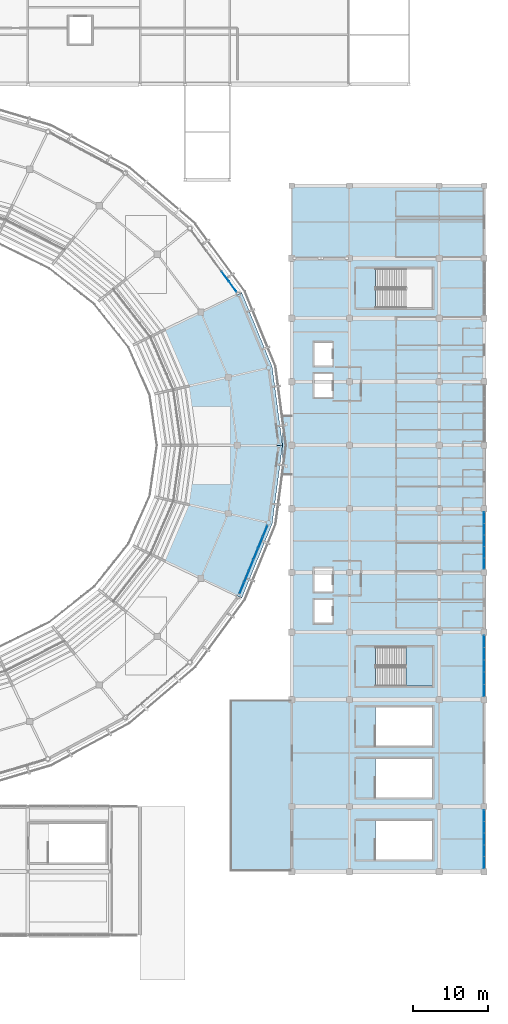
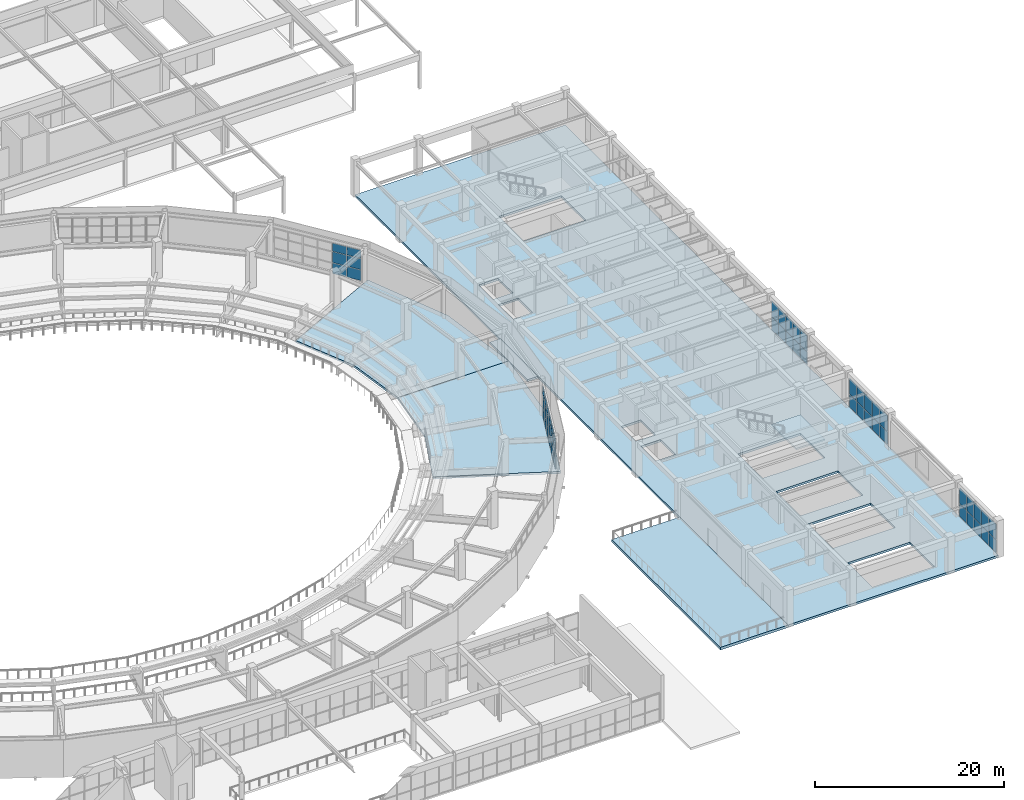
# One storey, part 87 of 122: 54 plates, 6 slabs, 6 elements without a shape of their own.
"""IFC4 building model written with IfcOpenShell, lengths in metres."""

from ifc_helpers import new_model, si_unit, direction, frame, origin, origin_2d, place, context, subcontext, project, spatial, polyline, rectangle, outline, extrude, material, layer, layer_set, type_object, element, aggregate, save


model = new_model("IFC4")

# Units and contexts
model_context = context("Model", 3, precision=1e-05, world=origin(), true_north=direction((0.0, 1.0)))
body_context = subcontext(model_context, "Body", "Model", "MODEL_VIEW")
ifc_project = project(units=[si_unit("LENGTHUNIT", "METRE"), si_unit("AREAUNIT", "SQUARE_METRE"), si_unit("VOLUMEUNIT", "CUBIC_METRE"), si_unit("PLANEANGLEUNIT", "RADIAN"), si_unit("MASSUNIT", "GRAM", prefix="KILO")], contexts=[model_context])

# Site, building, storey
site_placement = place(None, origin())
site = spatial("IfcSite", under=ifc_project, at=site_placement, CompositionType="ELEMENT")
building_placement = place(site_placement, origin())
building = spatial("IfcBuilding", under=site, at=building_placement, Name="Cuetzalor Civic Arena", CompositionType="ELEMENT")
storey_placement = place(building_placement, frame((0.0, 0.0, 16.199951171875)))
storey = spatial("IfcBuildingStorey", under=building, at=storey_placement, Name="L03", CompositionType="ELEMENT", Elevation=16.199951171875)

# Curtain wall, plates
ifc_material_1 = material(Name="Anodised dark bronze aluminium and low-E solar glass", Category="aluminium")
curtain_wall_type_1 = type_object("IfcCurtainWallType", Name="UnitisedCW_10150x4050", PredefinedType="USERDEFINED", material=ifc_material_1)
curtain_wall_1_placement = place(storey_placement, origin())
curtain_wall_1 = element("IfcCurtainWall", 1, at=curtain_wall_1_placement, inside=storey, type_object=curtain_wall_type_1, Name="Drum Triangle Foyer Curtain Wall L03-045", ObjectType="UNITISED CURTAIN WALL", PredefinedType="USERDEFINED")
ifc_material_2 = material(Name="Acoustic laminated solar control glass", Category="glass")
ifc_layer_1 = layer(ifc_material_2, 0.0439453125)
ifc_layer_set_1 = layer_set([ifc_layer_1], Name="Acoustic laminated solar control glass")
plate_type = type_object("IfcPlateType", Name="AcousticTripleGlazedPanel_44", PredefinedType="CURTAIN_PANEL", material=ifc_layer_set_1)
plate_1_placement = place(storey_placement, frame((47.402099609375, 22.568359375, 0.06494140625), z_axis=(0.0, 0.0, 1.0), x_axis=(0.59292931222, -0.805254513002, 0.0)))
plate_1 = element("IfcPlate", 2, at=plate_1_placement, type_object=plate_type, Name="CW-12 panel 5.1", PredefinedType="CURTAIN_PANEL", context=body_context, shape_type="SweptSolid", body=[
    extrude(rectangle(XDim=1.625732421875, YDim=0.0439453125, at=origin_2d()), origin(), (0.0, 0.0, 1.0), 1.361572265625),
])
plate_2_placement = place(storey_placement, frame((47.402099609375, 22.568359375, 1.491455078125), z_axis=(0.0, 0.0, 1.0), x_axis=(0.59292931222, -0.805254513002, 0.0)))
plate_2 = element("IfcPlate", 3, at=plate_2_placement, type_object=plate_type, Name="CW-12 panel 5.2", PredefinedType="CURTAIN_PANEL", context=body_context, shape_type="SweptSolid", body=[
    extrude(rectangle(XDim=1.625732421875, YDim=0.0439453125, at=origin_2d()), origin(), (0.0, 0.0, 1.0), 1.39404296875),
])
plate_3_placement = place(storey_placement, frame((47.402099609375, 22.568359375, 2.950439453125), z_axis=(0.0, 0.0, 1.0), x_axis=(0.59292931222, -0.805254513002, 0.0)))
plate_3 = element("IfcPlate", 4, at=plate_3_placement, type_object=plate_type, Name="CW-12 panel 5.3", PredefinedType="CURTAIN_PANEL", context=body_context, shape_type="SweptSolid", body=[
    extrude(rectangle(XDim=1.625732421875, YDim=0.0439453125, at=origin_2d()), origin(), (0.0, 0.0, 1.0), 1.03759765625),
])
plate_4_placement = place(storey_placement, frame((48.394775390625, 21.219970703125, 0.06494140625), z_axis=(0.0, 0.0, 1.0), x_axis=(0.59292931222, -0.805254513002, 0.0)))
plate_4 = element("IfcPlate", 5, at=plate_4_placement, type_object=plate_type, Name="CW-12 panel 6.1", PredefinedType="CURTAIN_PANEL", context=body_context, shape_type="SweptSolid", body=[
    extrude(rectangle(XDim=1.59326171875, YDim=0.0439453125, at=origin_2d()), origin(), (0.0, 0.0, 1.0), 1.361572265625),
])
plate_5_placement = place(storey_placement, frame((48.394775390625, 21.219970703125, 1.491455078125), z_axis=(0.0, 0.0, 1.0), x_axis=(0.59292931222, -0.805254513002, 0.0)))
plate_5 = element("IfcPlate", 6, at=plate_5_placement, type_object=plate_type, Name="CW-12 panel 6.2", PredefinedType="CURTAIN_PANEL", context=body_context, shape_type="SweptSolid", body=[
    extrude(rectangle(XDim=1.59326171875, YDim=0.0439453125, at=origin_2d()), origin(), (0.0, 0.0, 1.0), 1.39404296875),
])
plate_6_placement = place(storey_placement, frame((48.394775390625, 21.219970703125, 2.950439453125), z_axis=(0.0, 0.0, 1.0), x_axis=(0.59292931222, -0.805254513002, 0.0)))
plate_6 = element("IfcPlate", 7, at=plate_6_placement, type_object=plate_type, Name="CW-12 panel 6.3", PredefinedType="CURTAIN_PANEL", context=body_context, shape_type="SweptSolid", body=[
    extrude(rectangle(XDim=1.59326171875, YDim=0.0439453125, at=origin_2d()), origin(), (0.0, 0.0, 1.0), 1.03759765625),
])
aggregate(curtain_wall_1, [plate_1, plate_2, plate_3, plate_4, plate_5, plate_6])

ifc_material_3 = material(Name="Anodised dark bronze aluminium and low-E solar glass", Category="aluminium")
curtain_wall_type_2 = type_object("IfcCurtainWallType", Name="UnitisedCW_9850x4050", PredefinedType="USERDEFINED", material=ifc_material_3)
curtain_wall_2_placement = place(storey_placement, origin())
curtain_wall_2 = element("IfcCurtainWall", 8, at=curtain_wall_2_placement, inside=storey, type_object=curtain_wall_type_2, Name="Drum Triangle Foyer Curtain Wall L03-056", ObjectType="UNITISED CURTAIN WALL", PredefinedType="USERDEFINED")
plate_7_placement = place(storey_placement, frame((52.719970703125, -11.486083984375, 0.06494140625), z_axis=(0.0, 0.0, 1.0), x_axis=(-0.379391428583, -0.925236263836, 0.0)))
plate_7 = element("IfcPlate", 9, at=plate_7_placement, type_object=plate_type, Name="CW-17 panel 1.1", PredefinedType="CURTAIN_PANEL", context=body_context, shape_type="SweptSolid", body=[
    extrude(rectangle(XDim=1.548095703125, YDim=0.0439453125, at=origin_2d()), origin(), (0.0, 0.0, 1.0), 1.361572265625),
])
plate_8_placement = place(storey_placement, frame((52.719970703125, -11.486083984375, 1.491455078125), z_axis=(0.0, 0.0, 1.0), x_axis=(-0.379391428583, -0.925236263836, 0.0)))
plate_8 = element("IfcPlate", 10, at=plate_8_placement, type_object=plate_type, Name="CW-17 panel 1.2", PredefinedType="CURTAIN_PANEL", context=body_context, shape_type="SweptSolid", body=[
    extrude(rectangle(XDim=1.548095703125, YDim=0.0439453125, at=origin_2d()), origin(), (0.0, 0.0, 1.0), 1.39404296875),
])
plate_9_placement = place(storey_placement, frame((52.719970703125, -11.486083984375, 2.950439453125), z_axis=(0.0, 0.0, 1.0), x_axis=(-0.379391428583, -0.925236263836, 0.0)))
plate_9 = element("IfcPlate", 11, at=plate_9_placement, type_object=plate_type, Name="CW-17 panel 1.3", PredefinedType="CURTAIN_PANEL", context=body_context, shape_type="SweptSolid", body=[
    extrude(rectangle(XDim=1.548095703125, YDim=0.0439453125, at=origin_2d()), origin(), (0.0, 0.0, 1.0), 1.03759765625),
])
plate_10_placement = place(storey_placement, frame((52.1015625, -12.993896484375, 0.06494140625), z_axis=(0.0, 0.0, 1.0), x_axis=(-0.379391428583, -0.925236263836, 0.0)))
plate_10 = element("IfcPlate", 12, at=plate_10_placement, type_object=plate_type, Name="CW-17 panel 2.1", PredefinedType="CURTAIN_PANEL", context=body_context, shape_type="SweptSolid", body=[
    extrude(rectangle(XDim=1.580810546875, YDim=0.0439453125, at=origin_2d()), origin(), (0.0, 0.0, 1.0), 1.361572265625),
])
plate_11_placement = place(storey_placement, frame((52.1015625, -12.993896484375, 1.491455078125), z_axis=(0.0, 0.0, 1.0), x_axis=(-0.379391428583, -0.925236263836, 0.0)))
plate_11 = element("IfcPlate", 13, at=plate_11_placement, type_object=plate_type, Name="CW-17 panel 2.2", PredefinedType="CURTAIN_PANEL", context=body_context, shape_type="SweptSolid", body=[
    extrude(rectangle(XDim=1.580810546875, YDim=0.0439453125, at=origin_2d()), origin(), (0.0, 0.0, 1.0), 1.39404296875),
])
plate_12_placement = place(storey_placement, frame((52.1015625, -12.993896484375, 2.950439453125), z_axis=(0.0, 0.0, 1.0), x_axis=(-0.379391428583, -0.925236263836, 0.0)))
plate_12 = element("IfcPlate", 14, at=plate_12_placement, type_object=plate_type, Name="CW-17 panel 2.3", PredefinedType="CURTAIN_PANEL", context=body_context, shape_type="SweptSolid", body=[
    extrude(rectangle(XDim=1.580810546875, YDim=0.0439453125, at=origin_2d()), origin(), (0.0, 0.0, 1.0), 1.03759765625),
])
plate_13_placement = place(storey_placement, frame((51.477294921875, -14.516357421875, 0.06494140625), z_axis=(0.0, 0.0, 1.0), x_axis=(-0.379391428583, -0.925236263836, 0.0)))
plate_13 = element("IfcPlate", 15, at=plate_13_placement, type_object=plate_type, Name="CW-17 panel 3.1", PredefinedType="CURTAIN_PANEL", context=body_context, shape_type="SweptSolid", body=[
    extrude(rectangle(XDim=1.580810546875, YDim=0.0439453125, at=origin_2d()), origin(), (0.0, 0.0, 1.0), 1.361572265625),
])
plate_14_placement = place(storey_placement, frame((51.477294921875, -14.516357421875, 1.491455078125), z_axis=(0.0, 0.0, 1.0), x_axis=(-0.379391428583, -0.925236263836, 0.0)))
plate_14 = element("IfcPlate", 16, at=plate_14_placement, type_object=plate_type, Name="CW-17 panel 3.2", PredefinedType="CURTAIN_PANEL", context=body_context, shape_type="SweptSolid", body=[
    extrude(rectangle(XDim=1.580810546875, YDim=0.0439453125, at=origin_2d()), origin(), (0.0, 0.0, 1.0), 1.39404296875),
])
plate_15_placement = place(storey_placement, frame((51.477294921875, -14.516357421875, 2.950439453125), z_axis=(0.0, 0.0, 1.0), x_axis=(-0.379391428583, -0.925236263836, 0.0)))
plate_15 = element("IfcPlate", 17, at=plate_15_placement, type_object=plate_type, Name="CW-17 panel 3.3", PredefinedType="CURTAIN_PANEL", context=body_context, shape_type="SweptSolid", body=[
    extrude(rectangle(XDim=1.580810546875, YDim=0.0439453125, at=origin_2d()), origin(), (0.0, 0.0, 1.0), 1.03759765625),
])
plate_16_placement = place(storey_placement, frame((50.85302734375, -16.0390625, 0.06494140625), z_axis=(0.0, 0.0, 1.0), x_axis=(-0.379391428583, -0.925236263836, 0.0)))
plate_16 = element("IfcPlate", 18, at=plate_16_placement, type_object=plate_type, Name="CW-17 panel 4.1", PredefinedType="CURTAIN_PANEL", context=body_context, shape_type="SweptSolid", body=[
    extrude(rectangle(XDim=1.580810546875, YDim=0.0439453125, at=origin_2d()), origin(), (0.0, 0.0, 1.0), 1.361572265625),
])
plate_17_placement = place(storey_placement, frame((50.85302734375, -16.0390625, 1.491455078125), z_axis=(0.0, 0.0, 1.0), x_axis=(-0.379391428583, -0.925236263836, 0.0)))
plate_17 = element("IfcPlate", 19, at=plate_17_placement, type_object=plate_type, Name="CW-17 panel 4.2", PredefinedType="CURTAIN_PANEL", context=body_context, shape_type="SweptSolid", body=[
    extrude(rectangle(XDim=1.580810546875, YDim=0.0439453125, at=origin_2d()), origin(), (0.0, 0.0, 1.0), 1.39404296875),
])
plate_18_placement = place(storey_placement, frame((50.85302734375, -16.0390625, 2.950439453125), z_axis=(0.0, 0.0, 1.0), x_axis=(-0.379391428583, -0.925236263836, 0.0)))
plate_18 = element("IfcPlate", 20, at=plate_18_placement, type_object=plate_type, Name="CW-17 panel 4.3", PredefinedType="CURTAIN_PANEL", context=body_context, shape_type="SweptSolid", body=[
    extrude(rectangle(XDim=1.580810546875, YDim=0.0439453125, at=origin_2d()), origin(), (0.0, 0.0, 1.0), 1.03759765625),
])
plate_19_placement = place(storey_placement, frame((50.228515625, -17.561767578125, 0.06494140625), z_axis=(0.0, 0.0, 1.0), x_axis=(-0.379391428583, -0.925236263836, 0.0)))
plate_19 = element("IfcPlate", 21, at=plate_19_placement, type_object=plate_type, Name="CW-17 panel 5.1", PredefinedType="CURTAIN_PANEL", context=body_context, shape_type="SweptSolid", body=[
    extrude(rectangle(XDim=1.580810546875, YDim=0.0439453125, at=origin_2d()), origin(), (0.0, 0.0, 1.0), 1.361572265625),
])
plate_20_placement = place(storey_placement, frame((50.228515625, -17.561767578125, 1.491455078125), z_axis=(0.0, 0.0, 1.0), x_axis=(-0.379391428583, -0.925236263836, 0.0)))
plate_20 = element("IfcPlate", 22, at=plate_20_placement, type_object=plate_type, Name="CW-17 panel 5.2", PredefinedType="CURTAIN_PANEL", context=body_context, shape_type="SweptSolid", body=[
    extrude(rectangle(XDim=1.580810546875, YDim=0.0439453125, at=origin_2d()), origin(), (0.0, 0.0, 1.0), 1.39404296875),
])
plate_21_placement = place(storey_placement, frame((50.228515625, -17.561767578125, 2.950439453125), z_axis=(0.0, 0.0, 1.0), x_axis=(-0.379391428583, -0.925236263836, 0.0)))
plate_21 = element("IfcPlate", 23, at=plate_21_placement, type_object=plate_type, Name="CW-17 panel 5.3", PredefinedType="CURTAIN_PANEL", context=body_context, shape_type="SweptSolid", body=[
    extrude(rectangle(XDim=1.580810546875, YDim=0.0439453125, at=origin_2d()), origin(), (0.0, 0.0, 1.0), 1.03759765625),
])
plate_22_placement = place(storey_placement, frame((49.6103515625, -19.0693359375, 0.06494140625), z_axis=(0.0, 0.0, 1.0), x_axis=(-0.379391428583, -0.925236263836, 0.0)))
plate_22 = element("IfcPlate", 24, at=plate_22_placement, type_object=plate_type, Name="CW-17 panel 6.1", PredefinedType="CURTAIN_PANEL", context=body_context, shape_type="SweptSolid", body=[
    extrude(rectangle(XDim=1.548095703125, YDim=0.0439453125, at=origin_2d()), origin(), (0.0, 0.0, 1.0), 1.361572265625),
])
plate_23_placement = place(storey_placement, frame((49.6103515625, -19.0693359375, 1.491455078125), z_axis=(0.0, 0.0, 1.0), x_axis=(-0.379391428583, -0.925236263836, 0.0)))
plate_23 = element("IfcPlate", 25, at=plate_23_placement, type_object=plate_type, Name="CW-17 panel 6.2", PredefinedType="CURTAIN_PANEL", context=body_context, shape_type="SweptSolid", body=[
    extrude(rectangle(XDim=1.548095703125, YDim=0.0439453125, at=origin_2d()), origin(), (0.0, 0.0, 1.0), 1.39404296875),
])
plate_24_placement = place(storey_placement, frame((49.6103515625, -19.0693359375, 2.950439453125), z_axis=(0.0, 0.0, 1.0), x_axis=(-0.379391428583, -0.925236263836, 0.0)))
plate_24 = element("IfcPlate", 26, at=plate_24_placement, type_object=plate_type, Name="CW-17 panel 6.3", PredefinedType="CURTAIN_PANEL", context=body_context, shape_type="SweptSolid", body=[
    extrude(rectangle(XDim=1.548095703125, YDim=0.0439453125, at=origin_2d()), origin(), (0.0, 0.0, 1.0), 1.03759765625),
])
aggregate(curtain_wall_2, [plate_7, plate_8, plate_9, plate_10, plate_11, plate_12, plate_13, plate_14, plate_15, plate_16, plate_17, plate_18, plate_19, plate_20, plate_21, plate_22, plate_23, plate_24])

ifc_material_4 = material(Name="Anodised dark bronze aluminium and low-E solar glass", Category="aluminium")
curtain_wall_type_3 = type_object("IfcCurtainWallType", Name="UnitisedCW_7900x3800", PredefinedType="USERDEFINED", material=ifc_material_4)
curtain_wall_3_placement = place(storey_placement, origin())
curtain_wall_3 = element("IfcCurtainWall", 27, at=curtain_wall_3_placement, inside=storey, type_object=curtain_wall_type_3, Name="V4E Suite Viewing Curtain Wall L03-145", ObjectType="UNITISED CURTAIN WALL", PredefinedType="USERDEFINED")
plate_25_placement = place(storey_placement, frame((82.0, -49.511962890625, 0.06494140625), z_axis=(0.0, 0.0, 1.0), x_axis=(0.0, -1.0, 0.0)))
plate_25 = element("IfcPlate", 28, at=plate_25_placement, type_object=plate_type, Name="CW-44 panel 1.1", PredefinedType="CURTAIN_PANEL", context=body_context, shape_type="SweptSolid", body=[
    extrude(rectangle(XDim=1.479736328125, YDim=0.0439453125, at=origin_2d()), origin(), (0.0, 0.0, 1.0), 1.612548828125),
])
plate_26_placement = place(storey_placement, frame((82.0, -49.511962890625, 1.74267578125), z_axis=(0.0, 0.0, 1.0), x_axis=(0.0, -1.0, 0.0)))
plate_26 = element("IfcPlate", 29, at=plate_26_placement, type_object=plate_type, Name="CW-44 panel 1.2", PredefinedType="CURTAIN_PANEL", context=body_context, shape_type="SweptSolid", body=[
    extrude(rectangle(XDim=1.479736328125, YDim=0.0439453125, at=origin_2d()), origin(), (0.0, 0.0, 1.0), 1.992431640625),
])
plate_27_placement = place(storey_placement, frame((82.0, -51.07275390625, 0.06494140625), z_axis=(0.0, 0.0, 1.0), x_axis=(0.0, -1.0, 0.0)))
plate_27 = element("IfcPlate", 30, at=plate_27_placement, type_object=plate_type, Name="CW-44 panel 2.1", PredefinedType="CURTAIN_PANEL", context=body_context, shape_type="SweptSolid", body=[
    extrude(rectangle(XDim=1.51220703125, YDim=0.0439453125, at=origin_2d()), origin(), (0.0, 0.0, 1.0), 1.612548828125),
])
plate_28_placement = place(storey_placement, frame((82.0, -51.07275390625, 1.74267578125), z_axis=(0.0, 0.0, 1.0), x_axis=(0.0, -1.0, 0.0)))
plate_28 = element("IfcPlate", 31, at=plate_28_placement, type_object=plate_type, Name="CW-44 panel 2.2", PredefinedType="CURTAIN_PANEL", context=body_context, shape_type="SweptSolid", body=[
    extrude(rectangle(XDim=1.51220703125, YDim=0.0439453125, at=origin_2d()), origin(), (0.0, 0.0, 1.0), 1.992431640625),
])
plate_29_placement = place(storey_placement, frame((82.0, -52.64990234375, 0.06494140625), z_axis=(0.0, 0.0, 1.0), x_axis=(0.0, -1.0, 0.0)))
plate_29 = element("IfcPlate", 32, at=plate_29_placement, type_object=plate_type, Name="CW-44 panel 3.1", PredefinedType="CURTAIN_PANEL", context=body_context, shape_type="SweptSolid", body=[
    extrude(rectangle(XDim=1.51220703125, YDim=0.0439453125, at=origin_2d()), origin(), (0.0, 0.0, 1.0), 1.612548828125),
])
plate_30_placement = place(storey_placement, frame((82.0, -52.64990234375, 1.74267578125), z_axis=(0.0, 0.0, 1.0), x_axis=(0.0, -1.0, 0.0)))
plate_30 = element("IfcPlate", 33, at=plate_30_placement, type_object=plate_type, Name="CW-44 panel 3.2", PredefinedType="CURTAIN_PANEL", context=body_context, shape_type="SweptSolid", body=[
    extrude(rectangle(XDim=1.51220703125, YDim=0.0439453125, at=origin_2d()), origin(), (0.0, 0.0, 1.0), 1.992431640625),
])
plate_31_placement = place(storey_placement, frame((82.0, -54.227294921875, 0.06494140625), z_axis=(0.0, 0.0, 1.0), x_axis=(0.0, -1.0, 0.0)))
plate_31 = element("IfcPlate", 34, at=plate_31_placement, type_object=plate_type, Name="CW-44 panel 4.1", PredefinedType="CURTAIN_PANEL", context=body_context, shape_type="SweptSolid", body=[
    extrude(rectangle(XDim=1.51220703125, YDim=0.0439453125, at=origin_2d()), origin(), (0.0, 0.0, 1.0), 1.612548828125),
])
plate_32_placement = place(storey_placement, frame((82.0, -54.227294921875, 1.74267578125), z_axis=(0.0, 0.0, 1.0), x_axis=(0.0, -1.0, 0.0)))
plate_32 = element("IfcPlate", 35, at=plate_32_placement, type_object=plate_type, Name="CW-44 panel 4.2", PredefinedType="CURTAIN_PANEL", context=body_context, shape_type="SweptSolid", body=[
    extrude(rectangle(XDim=1.51220703125, YDim=0.0439453125, at=origin_2d()), origin(), (0.0, 0.0, 1.0), 1.992431640625),
])
plate_33_placement = place(storey_placement, frame((82.0, -55.7880859375, 0.06494140625), z_axis=(0.0, 0.0, 1.0), x_axis=(0.0, -1.0, 0.0)))
plate_33 = element("IfcPlate", 36, at=plate_33_placement, type_object=plate_type, Name="CW-44 panel 5.1", PredefinedType="CURTAIN_PANEL", context=body_context, shape_type="SweptSolid", body=[
    extrude(rectangle(XDim=1.479736328125, YDim=0.0439453125, at=origin_2d()), origin(), (0.0, 0.0, 1.0), 1.612548828125),
])
plate_34_placement = place(storey_placement, frame((82.0, -55.7880859375, 1.74267578125), z_axis=(0.0, 0.0, 1.0), x_axis=(0.0, -1.0, 0.0)))
plate_34 = element("IfcPlate", 37, at=plate_34_placement, type_object=plate_type, Name="CW-44 panel 5.2", PredefinedType="CURTAIN_PANEL", context=body_context, shape_type="SweptSolid", body=[
    extrude(rectangle(XDim=1.479736328125, YDim=0.0439453125, at=origin_2d()), origin(), (0.0, 0.0, 1.0), 1.992431640625),
])
aggregate(curtain_wall_3, [plate_25, plate_26, plate_27, plate_28, plate_29, plate_30, plate_31, plate_32, plate_33, plate_34])

ifc_material_5 = material(Name="Anodised dark bronze aluminium and low-E solar glass", Category="aluminium")
curtain_wall_type_4 = type_object("IfcCurtainWallType", Name="UnitisedCW_8200x3850", PredefinedType="USERDEFINED", material=ifc_material_5)
curtain_wall_4_placement = place(storey_placement, origin())
curtain_wall_4 = element("IfcCurtainWall", 38, at=curtain_wall_4_placement, inside=storey, type_object=curtain_wall_type_4, Name="V4E Suite Viewing Curtain Wall L03-146", ObjectType="UNITISED CURTAIN WALL", PredefinedType="USERDEFINED")
plate_35_placement = place(storey_placement, frame((82.0, -26.241943359375, 0.06494140625), z_axis=(0.0, 0.0, 1.0), x_axis=(0.0, -1.0, 0.0)))
plate_35 = element("IfcPlate", 39, at=plate_35_placement, type_object=plate_type, Name="CW-45 panel 1.1", PredefinedType="CURTAIN_PANEL", context=body_context, shape_type="SweptSolid", body=[
    extrude(rectangle(XDim=1.539794921875, YDim=0.0439453125, at=origin_2d()), origin(), (0.0, 0.0, 1.0), 1.639404296875),
])
plate_36_placement = place(storey_placement, frame((82.0, -26.241943359375, 1.76953125), z_axis=(0.0, 0.0, 1.0), x_axis=(0.0, -1.0, 0.0)))
plate_36 = element("IfcPlate", 40, at=plate_36_placement, type_object=plate_type, Name="CW-45 panel 1.2", PredefinedType="CURTAIN_PANEL", context=body_context, shape_type="SweptSolid", body=[
    extrude(rectangle(XDim=1.539794921875, YDim=0.0439453125, at=origin_2d()), origin(), (0.0, 0.0, 1.0), 2.025390625),
])
plate_37_placement = place(storey_placement, frame((82.0, -27.86279296875, 0.06494140625), z_axis=(0.0, 0.0, 1.0), x_axis=(0.0, -1.0, 0.0)))
plate_37 = element("IfcPlate", 41, at=plate_37_placement, type_object=plate_type, Name="CW-45 panel 2.1", PredefinedType="CURTAIN_PANEL", context=body_context, shape_type="SweptSolid", body=[
    extrude(rectangle(XDim=1.572265625, YDim=0.0439453125, at=origin_2d()), origin(), (0.0, 0.0, 1.0), 1.639404296875),
])
plate_38_placement = place(storey_placement, frame((82.0, -27.86279296875, 1.76953125), z_axis=(0.0, 0.0, 1.0), x_axis=(0.0, -1.0, 0.0)))
plate_38 = element("IfcPlate", 42, at=plate_38_placement, type_object=plate_type, Name="CW-45 panel 2.2", PredefinedType="CURTAIN_PANEL", context=body_context, shape_type="SweptSolid", body=[
    extrude(rectangle(XDim=1.572265625, YDim=0.0439453125, at=origin_2d()), origin(), (0.0, 0.0, 1.0), 2.025390625),
])
plate_39_placement = place(storey_placement, frame((82.0, -29.5, 0.06494140625), z_axis=(0.0, 0.0, 1.0), x_axis=(0.0, -1.0, 0.0)))
plate_39 = element("IfcPlate", 43, at=plate_39_placement, type_object=plate_type, Name="CW-45 panel 3.1", PredefinedType="CURTAIN_PANEL", context=body_context, shape_type="SweptSolid", body=[
    extrude(rectangle(XDim=1.572265625, YDim=0.0439453125, at=origin_2d()), origin(), (0.0, 0.0, 1.0), 1.639404296875),
])
plate_40_placement = place(storey_placement, frame((82.0, -29.5, 1.76953125), z_axis=(0.0, 0.0, 1.0), x_axis=(0.0, -1.0, 0.0)))
plate_40 = element("IfcPlate", 44, at=plate_40_placement, type_object=plate_type, Name="CW-45 panel 3.2", PredefinedType="CURTAIN_PANEL", context=body_context, shape_type="SweptSolid", body=[
    extrude(rectangle(XDim=1.572265625, YDim=0.0439453125, at=origin_2d()), origin(), (0.0, 0.0, 1.0), 2.025390625),
])
plate_41_placement = place(storey_placement, frame((82.0, -31.13720703125, 0.06494140625), z_axis=(0.0, 0.0, 1.0), x_axis=(0.0, -1.0, 0.0)))
plate_41 = element("IfcPlate", 45, at=plate_41_placement, type_object=plate_type, Name="CW-45 panel 4.1", PredefinedType="CURTAIN_PANEL", context=body_context, shape_type="SweptSolid", body=[
    extrude(rectangle(XDim=1.572265625, YDim=0.0439453125, at=origin_2d()), origin(), (0.0, 0.0, 1.0), 1.639404296875),
])
plate_42_placement = place(storey_placement, frame((82.0, -31.13720703125, 1.76953125), z_axis=(0.0, 0.0, 1.0), x_axis=(0.0, -1.0, 0.0)))
plate_42 = element("IfcPlate", 46, at=plate_42_placement, type_object=plate_type, Name="CW-45 panel 4.2", PredefinedType="CURTAIN_PANEL", context=body_context, shape_type="SweptSolid", body=[
    extrude(rectangle(XDim=1.572265625, YDim=0.0439453125, at=origin_2d()), origin(), (0.0, 0.0, 1.0), 2.025390625),
])
plate_43_placement = place(storey_placement, frame((82.0, -32.758056640625, 0.06494140625), z_axis=(0.0, 0.0, 1.0), x_axis=(0.0, -1.0, 0.0)))
plate_43 = element("IfcPlate", 47, at=plate_43_placement, type_object=plate_type, Name="CW-45 panel 5.1", PredefinedType="CURTAIN_PANEL", context=body_context, shape_type="SweptSolid", body=[
    extrude(rectangle(XDim=1.539794921875, YDim=0.0439453125, at=origin_2d()), origin(), (0.0, 0.0, 1.0), 1.639404296875),
])
plate_44_placement = place(storey_placement, frame((82.0, -32.758056640625, 1.76953125), z_axis=(0.0, 0.0, 1.0), x_axis=(0.0, -1.0, 0.0)))
plate_44 = element("IfcPlate", 48, at=plate_44_placement, type_object=plate_type, Name="CW-45 panel 5.2", PredefinedType="CURTAIN_PANEL", context=body_context, shape_type="SweptSolid", body=[
    extrude(rectangle(XDim=1.539794921875, YDim=0.0439453125, at=origin_2d()), origin(), (0.0, 0.0, 1.0), 2.025390625),
])
aggregate(curtain_wall_4, [plate_35, plate_36, plate_37, plate_38, plate_39, plate_40, plate_41, plate_42, plate_43, plate_44])

ifc_material_6 = material(Name="Anodised dark bronze aluminium and low-E solar glass", Category="aluminium")
curtain_wall_type_5 = type_object("IfcCurtainWallType", Name="UnitisedCW_7700x3850", PredefinedType="USERDEFINED", material=ifc_material_6)
curtain_wall_5_placement = place(storey_placement, origin())
curtain_wall_5 = element("IfcCurtainWall", 49, at=curtain_wall_5_placement, inside=storey, type_object=curtain_wall_type_5, Name="V4E Suite Viewing Curtain Wall L03-147", ObjectType="UNITISED CURTAIN WALL", PredefinedType="USERDEFINED")
plate_45_placement = place(storey_placement, frame((82.0, -9.69189453125, 0.06494140625), z_axis=(0.0, 0.0, 1.0), x_axis=(0.0, -1.0, 0.0)))
plate_45 = element("IfcPlate", 50, at=plate_45_placement, type_object=plate_type, Name="CW-42 panel 1.1", PredefinedType="CURTAIN_PANEL", context=body_context, shape_type="SweptSolid", body=[
    extrude(rectangle(XDim=1.439697265625, YDim=0.0439453125, at=origin_2d()), origin(), (0.0, 0.0, 1.0), 1.639404296875),
])
plate_46_placement = place(storey_placement, frame((82.0, -9.69189453125, 1.76953125), z_axis=(0.0, 0.0, 1.0), x_axis=(0.0, -1.0, 0.0)))
plate_46 = element("IfcPlate", 51, at=plate_46_placement, type_object=plate_type, Name="CW-42 panel 1.2", PredefinedType="CURTAIN_PANEL", context=body_context, shape_type="SweptSolid", body=[
    extrude(rectangle(XDim=1.439697265625, YDim=0.0439453125, at=origin_2d()), origin(), (0.0, 0.0, 1.0), 2.025390625),
])
plate_47_placement = place(storey_placement, frame((82.0, -11.212890625, 0.06494140625), z_axis=(0.0, 0.0, 1.0), x_axis=(0.0, -1.0, 0.0)))
plate_47 = element("IfcPlate", 52, at=plate_47_placement, type_object=plate_type, Name="CW-42 panel 2.1", PredefinedType="CURTAIN_PANEL", context=body_context, shape_type="SweptSolid", body=[
    extrude(rectangle(XDim=1.47216796875, YDim=0.0439453125, at=origin_2d()), origin(), (0.0, 0.0, 1.0), 1.639404296875),
])
plate_48_placement = place(storey_placement, frame((82.0, -11.212890625, 1.76953125), z_axis=(0.0, 0.0, 1.0), x_axis=(0.0, -1.0, 0.0)))
plate_48 = element("IfcPlate", 53, at=plate_48_placement, type_object=plate_type, Name="CW-42 panel 2.2", PredefinedType="CURTAIN_PANEL", context=body_context, shape_type="SweptSolid", body=[
    extrude(rectangle(XDim=1.47216796875, YDim=0.0439453125, at=origin_2d()), origin(), (0.0, 0.0, 1.0), 2.025390625),
])
plate_49_placement = place(storey_placement, frame((82.0, -12.75, 0.06494140625), z_axis=(0.0, 0.0, 1.0), x_axis=(0.0, -1.0, 0.0)))
plate_49 = element("IfcPlate", 54, at=plate_49_placement, type_object=plate_type, Name="CW-42 panel 3.1", PredefinedType="CURTAIN_PANEL", context=body_context, shape_type="SweptSolid", body=[
    extrude(rectangle(XDim=1.47216796875, YDim=0.0439453125, at=origin_2d()), origin(), (0.0, 0.0, 1.0), 1.639404296875),
])
plate_50_placement = place(storey_placement, frame((82.0, -12.75, 1.76953125), z_axis=(0.0, 0.0, 1.0), x_axis=(0.0, -1.0, 0.0)))
plate_50 = element("IfcPlate", 55, at=plate_50_placement, type_object=plate_type, Name="CW-42 panel 3.2", PredefinedType="CURTAIN_PANEL", context=body_context, shape_type="SweptSolid", body=[
    extrude(rectangle(XDim=1.47216796875, YDim=0.0439453125, at=origin_2d()), origin(), (0.0, 0.0, 1.0), 2.025390625),
])
plate_51_placement = place(storey_placement, frame((82.0, -14.287109375, 0.06494140625), z_axis=(0.0, 0.0, 1.0), x_axis=(0.0, -1.0, 0.0)))
plate_51 = element("IfcPlate", 56, at=plate_51_placement, type_object=plate_type, Name="CW-42 panel 4.1", PredefinedType="CURTAIN_PANEL", context=body_context, shape_type="SweptSolid", body=[
    extrude(rectangle(XDim=1.47216796875, YDim=0.0439453125, at=origin_2d()), origin(), (0.0, 0.0, 1.0), 1.639404296875),
])
plate_52_placement = place(storey_placement, frame((82.0, -14.287109375, 1.76953125), z_axis=(0.0, 0.0, 1.0), x_axis=(0.0, -1.0, 0.0)))
plate_52 = element("IfcPlate", 57, at=plate_52_placement, type_object=plate_type, Name="CW-42 panel 4.2", PredefinedType="CURTAIN_PANEL", context=body_context, shape_type="SweptSolid", body=[
    extrude(rectangle(XDim=1.47216796875, YDim=0.0439453125, at=origin_2d()), origin(), (0.0, 0.0, 1.0), 2.025390625),
])
plate_53_placement = place(storey_placement, frame((82.0, -15.80810546875, 0.06494140625), z_axis=(0.0, 0.0, 1.0), x_axis=(0.0, -1.0, 0.0)))
plate_53 = element("IfcPlate", 58, at=plate_53_placement, type_object=plate_type, Name="CW-42 panel 5.1", PredefinedType="CURTAIN_PANEL", context=body_context, shape_type="SweptSolid", body=[
    extrude(rectangle(XDim=1.439697265625, YDim=0.0439453125, at=origin_2d()), origin(), (0.0, 0.0, 1.0), 1.639404296875),
])
plate_54_placement = place(storey_placement, frame((82.0, -15.80810546875, 1.76953125), z_axis=(0.0, 0.0, 1.0), x_axis=(0.0, -1.0, 0.0)))
plate_54 = element("IfcPlate", 59, at=plate_54_placement, type_object=plate_type, Name="CW-42 panel 5.2", PredefinedType="CURTAIN_PANEL", context=body_context, shape_type="SweptSolid", body=[
    extrude(rectangle(XDim=1.439697265625, YDim=0.0439453125, at=origin_2d()), origin(), (0.0, 0.0, 1.0), 2.025390625),
])
aggregate(curtain_wall_5, [plate_45, plate_46, plate_47, plate_48, plate_49, plate_50, plate_51, plate_52, plate_53, plate_54])

# Slabs
ifc_material_7 = material(Name="Concrete C40/50", Category="concrete")
ifc_layer_2 = layer(ifc_material_7, 0.260009765625)
ifc_layer_set_2 = layer_set([ifc_layer_2], Name="Concrete C40/50")
slab_type_1 = type_object("IfcSlabType", Name="BridgeDeckSlab_260", PredefinedType="FLOOR", material=ifc_layer_set_2)
slab_1_placement = place(storey_placement, frame((0.0, 0.0, -0.260009765625)))
element("IfcSlab", 60, at=slab_1_placement, inside=storey, type_object=slab_type_1, Name="Seismic Joint Circulation Bridge V4E L03", PredefinedType="FLOOR", context=body_context, shape_type="SweptSolid", body=[
    extrude(outline(polyline([(55.030029296875, -4.0), (56.320068359375, -4.0), (56.320068359375, 4.0), (55.030029296875, 4.0), (55.030029296875, -4.0)])), origin(), (0.0, 0.0, 1.0), 0.260009765625),
])
ifc_material_8 = material(Name="Concrete C35/45", Category="concrete")
ifc_layer_3 = layer(ifc_material_8, 0.340087890625)
ifc_layer_set_3 = layer_set([ifc_layer_3], Name="Concrete C35/45")
slab_type_2 = type_object("IfcSlabType", Name="PlantedRoofGardenSlab_340", PredefinedType="FLOOR", material=ifc_layer_set_3)
slab_2_placement = place(storey_placement, frame((0.0, 0.0, -0.33984375)))
element("IfcSlab", 61, at=slab_2_placement, inside=storey, type_object=slab_type_2, Name="Planted Roof Garden 2 Slab L03", PredefinedType="FLOOR", context=body_context, shape_type="SweptSolid", body=[
    extrude(outline(polyline([(48.0, -57.0), (56.300048828125, -57.0), (56.300048828125, -34.0), (48.0, -34.0), (48.0, -57.0)])), origin(), (0.0, 0.0, 1.0), 0.33984375),
])

# Stair, slab
ifc_material_9 = material(Name="Precast concrete C40/50", Category="concrete")
stair_type = type_object("IfcStairType", Name="EnclosedExitStair_H480", PredefinedType="HALF_TURN_STAIR", material=ifc_material_9)
stair_placement = place(storey_placement, origin())
stair = element("IfcStair", 62, at=stair_placement, inside=storey, type_object=stair_type, Name="L03 Enclosed Exit Stair ST-21", PredefinedType="HALF_TURN_STAIR")
ifc_material_10 = material(Name="Concrete C40/50", Category="concrete")
ifc_layer_4 = layer(ifc_material_10, 0.199951171875)
ifc_layer_set_4 = layer_set([ifc_layer_4], Name="Concrete C40/50")
slab_type_3 = type_object("IfcSlabType", Name="StairHalfLandingSlab_200", PredefinedType="LANDING", material=ifc_layer_set_4)
slab_3_placement = place(storey_placement, frame((0.0, 0.0, 2.199951171875)))
slab_3 = element("IfcSlab", 63, at=slab_3_placement, type_object=slab_type_3, Name="ST-21 landing 1", PredefinedType="LANDING", context=body_context, shape_type="SweptSolid", body=[
    extrude(outline(polyline([(71.583984375, -32.199951171875), (75.10009765625, -32.199951171875), (75.10009765625, -27.0), (71.583984375, -27.0), (71.583984375, -32.199951171875)])), origin(), (0.0, 0.0, 1.0), 0.2001953125),
])
aggregate(stair, [slab_3])

# Slabs
ifc_material_11 = material(Name="Concrete C35/45", Category="concrete")
ifc_layer_5 = layer(ifc_material_11, 0.280029296875)
ifc_layer_set_5 = layer_set([ifc_layer_5], Name="Concrete C35/45")
slab_type_4 = type_object("IfcSlabType", Name="SuspendedFloorSlab_280", PredefinedType="FLOOR", material=ifc_layer_set_5)
slab_4_placement = place(storey_placement, frame((0.0, 0.0, -0.280029296875)))
element("IfcSlab", 64, at=slab_4_placement, inside=storey, type_object=slab_type_4, Name="Arena Concourse Sector Slab L03-01", PredefinedType="FLOOR", context=body_context, shape_type="SweptSolid", body=[
    extrude(outline(polyline([(41.5, 0.0), (40.45947265625, 7.45458984375), (37.39013671875, 14.53515625), (49.598388671875, 20.414306640625), (53.669921875, 10.469482421875), (55.050048828125, 0.0), (41.5, 0.0)])), origin(), (0.0, 0.0, 1.0), 0.280029296875),
])
slab_5_placement = place(storey_placement, frame((0.0, 0.0, -0.280029296875)))
element("IfcSlab", 65, at=slab_5_placement, inside=storey, type_object=slab_type_4, Name="Arena Concourse Sector Slab L03-14", PredefinedType="FLOOR", context=body_context, shape_type="SweptSolid", body=[
    extrude(outline(polyline([(37.39013671875, -14.53515625), (40.45947265625, -7.45458984375), (41.5, 0.0), (55.050048828125, 0.0), (53.669921875, -10.469482421875), (49.598388671875, -20.414306640625), (37.39013671875, -14.53515625)])), origin(), (0.0, 0.0, 1.0), 0.280029296875),
])
slab_6_placement = place(storey_placement, frame((0.0, 0.0, -0.280029296875)))
element("IfcSlab", 66, at=slab_6_placement, inside=storey, type_object=slab_type_4, Name="V4E Concourse and Suite Floor Slab L03", PredefinedType="FLOOR", context=body_context, shape_type="SweptSolid", body=[
    extrude(outline(polyline([(56.300048828125, -57.0), (82.0, -57.0), (82.0, 34.699951171875), (56.300048828125, 34.699951171875), (56.300048828125, -57.0)]), holes=[polyline([(67.5, -55.39990234375), (75.10009765625, -55.39990234375), (75.10009765625, -50.199951171875), (67.5, -50.199951171875), (67.5, -55.39990234375)]), polyline([(67.5, -47.10009765625), (75.10009765625, -47.10009765625), (75.10009765625, -41.89990234375), (67.5, -41.89990234375), (67.5, -47.10009765625)]), polyline([(67.5, -40.199951171875), (75.10009765625, -40.199951171875), (75.10009765625, -35.0), (67.5, -35.0), (67.5, -40.199951171875)]), polyline([(67.5, -32.199951171875), (75.10009765625, -32.199951171875), (75.10009765625, -27.0), (67.5, -27.0), (67.5, -32.199951171875)]), polyline([(67.5, 18.39990234375), (75.10009765625, 18.39990234375), (75.10009765625, 23.60009765625), (67.5, 23.60009765625), (67.5, 18.39990234375)]), polyline([(59.300048828125, -19.550048828125), (61.699951171875, -19.550048828125), (61.699951171875, -16.449951171875), (59.300048828125, -16.449951171875), (59.300048828125, -19.550048828125)]), polyline([(59.300048828125, 6.449951171875), (61.699951171875, 6.449951171875), (61.699951171875, 9.550048828125), (59.300048828125, 9.550048828125), (59.300048828125, 6.449951171875)]), polyline([(59.300048828125, -23.75), (61.699951171875, -23.75), (61.699951171875, -20.64990234375), (59.300048828125, -20.64990234375), (59.300048828125, -23.75)]), polyline([(59.300048828125, 10.64990234375), (61.699951171875, 10.64990234375), (61.699951171875, 13.75), (59.300048828125, 13.75), (59.300048828125, 10.64990234375)])]), origin(), (0.0, 0.0, 1.0), 0.280029296875),
])

save(model, "model.ifc")
